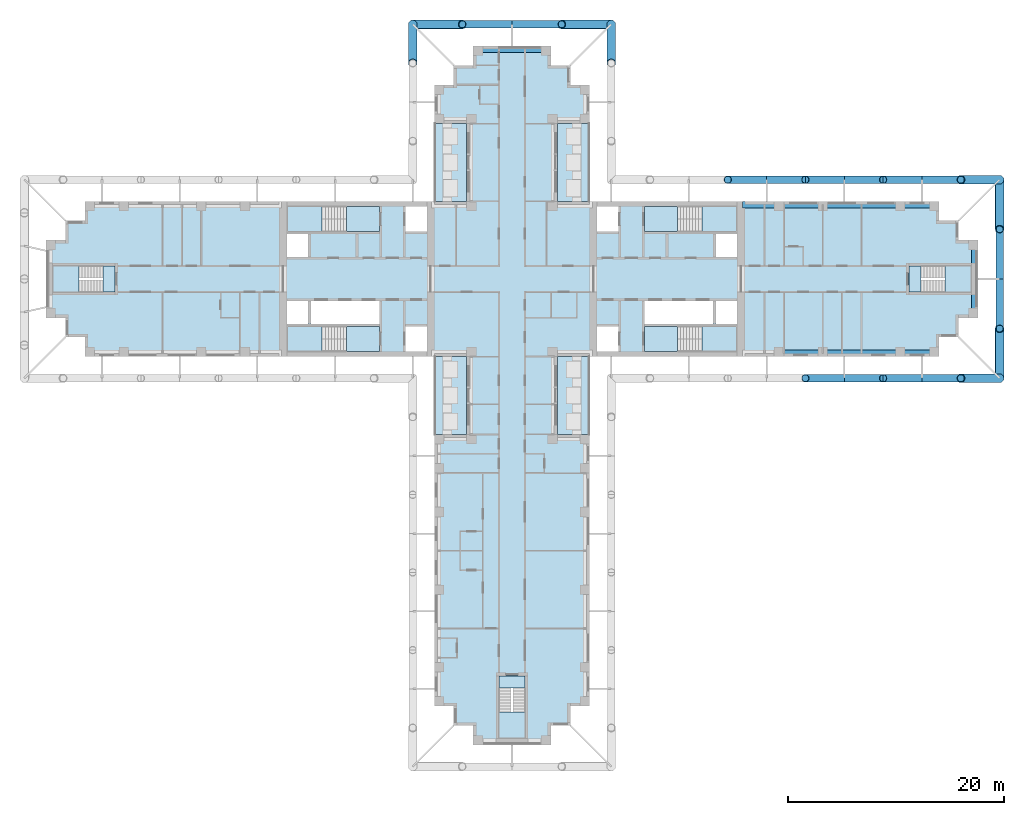
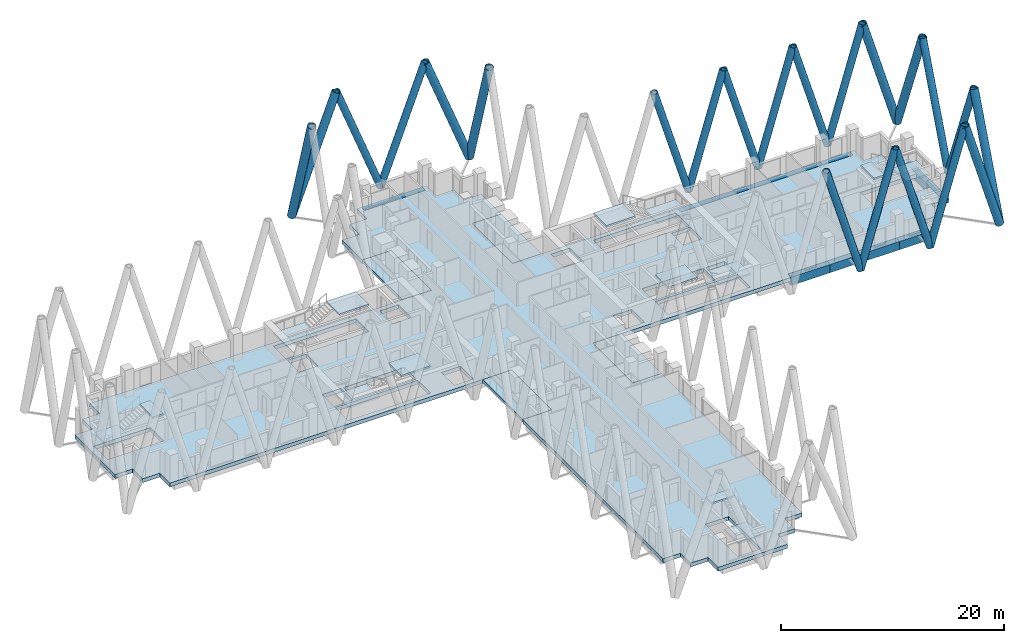
# One storey, part 2 of 14: 22 members, 19 slabs, 9 beams, 7 elements without a shape of their own.
"""IFC4 building model written with IfcOpenShell, lengths in metres."""

import ifcopenshell
import ifcopenshell.guid

model = None  # the IFC model being written
_history = None  # IfcOwnerHistory: only IFC2X3 demands one
_inside = {}  # id of a spatial element -> (the spatial element, [elements in it])
_under = {}  # id of a project, library or spatial element -> (it, [spatial elements below it])
_declared = {}  # id of a project -> (the project, [libraries it declares])
_typed = {}  # id of a type object -> (the type object, [elements of that type])
_made_of = {}  # id of a material, layer set ... -> (it, [elements and type objects made of it])


def new_model(schema):
    """Start an empty IFC model of exactly this schema.

    Asked for "IFC4X3", IfcOpenShell would pick the latest addendum, in which some entities
    have other attributes; the version numbers below select the first issue.
    IFC2X3 requires an IfcOwnerHistory on every rooted entity: one is made here for all.
    """
    global model, _history
    if schema == "IFC4X3":
        model = ifcopenshell.file(schema_version=(4, 3, 0, 0))
    else:
        model = ifcopenshell.file(schema=schema)
    _inside.clear()
    _under.clear()
    _declared.clear()
    _typed.clear()
    _made_of.clear()
    _history = None
    if model.schema == "IFC2X3":
        org = make("IfcOrganization", Name="unknown")
        user = make(
            "IfcPersonAndOrganization",
            ThePerson=make("IfcPerson", FamilyName="unknown"),
            TheOrganization=org,
        )
        app = make(
            "IfcApplication",
            ApplicationDeveloper=org,
            Version="unknown",
            ApplicationFullName="unknown",
            ApplicationIdentifier="unknown",
        )
        _history = make(
            "IfcOwnerHistory",
            OwningUser=user,
            OwningApplication=app,
            ChangeAction="ADDED",
            CreationDate=0,
        )
    return model


def make(cls, **values):
    """One entity of the class cls with the attributes given. An attribute that is None is left unset."""
    return model.create_entity(
        cls, **{name: value for name, value in values.items() if value is not None}
    )


def rooted(cls, **values):
    """An entity with a GlobalId (a new one), such as an element, a storey or a relation."""
    return make(cls, GlobalId=ifcopenshell.guid.new(), OwnerHistory=_history, **values)


def si_unit(unit_type, name, prefix=None):
    """IfcSIUnit, for example si_unit("LENGTHUNIT", "METRE", prefix="MILLI")."""
    return make("IfcSIUnit", UnitType=unit_type, Prefix=prefix, Name=name)


def assignment(units):
    """IfcUnitAssignment: the units of a project."""
    return None if units is None else make("IfcUnitAssignment", Units=units)


def point(xyz):
    """IfcCartesianPoint."""
    return None if xyz is None else make("IfcCartesianPoint", Coordinates=xyz)


def direction(xyz):
    """IfcDirection."""
    return None if xyz is None else make("IfcDirection", DirectionRatios=xyz)


def frame(location, z_axis=None, x_axis=None):
    """IfcAxis2Placement3D, a coordinate frame: its origin and axes. An axis left out is left unset."""
    return make(
        "IfcAxis2Placement3D",
        Location=point(location),
        Axis=direction(z_axis),
        RefDirection=direction(x_axis),
    )


def frame_2d(location, x_axis=None):
    """IfcAxis2Placement2D, a coordinate frame in the plane: its origin and x axis."""
    return make(
        "IfcAxis2Placement2D", Location=point(location), RefDirection=direction(x_axis)
    )


def origin():
    """The frame at (0, 0, 0) with its axes left unset."""
    return frame((0.0, 0.0, 0.0))


def origin_2d():
    """The frame at (0, 0) in the plane with its x axis left unset."""
    return frame_2d((0.0, 0.0))


def place(relative_to, where):
    """IfcLocalPlacement: puts the frame where relative to a parent placement (None: the world)."""
    return make(
        "IfcLocalPlacement", PlacementRelTo=relative_to, RelativePlacement=where
    )


def context(
    kind, dimensions, precision=None, world=None, true_north=None, identifier=None
):
    """IfcGeometricRepresentationContext, for example the 3D "Model" context."""
    return make(
        "IfcGeometricRepresentationContext",
        ContextIdentifier=identifier,
        ContextType=kind,
        CoordinateSpaceDimension=dimensions,
        Precision=precision,
        WorldCoordinateSystem=world,
        TrueNorth=true_north,
    )


def subcontext(parent, identifier, kind, view, scale=None):
    """IfcGeometricRepresentationSubContext, for example "Body" below "Model"."""
    return make(
        "IfcGeometricRepresentationSubContext",
        ContextIdentifier=identifier,
        ContextType=kind,
        ParentContext=parent,
        TargetScale=scale,
        TargetView=view,
    )


def project(units=None, contexts=None):
    """IfcProject with its units and contexts."""
    return rooted(
        "IfcProject",
        Name="project",
        RepresentationContexts=contexts,
        UnitsInContext=assignment(units),
    )


def spatial(cls, under=None, at=None, **own):
    """A site, building, storey or space (cls), placed at a placement, below another one or the project."""
    s = rooted(cls, ObjectPlacement=at, **own)
    if under is not None:
        _under.setdefault(under.id(), (under, []))[1].append(s)
    return s


def polyline(points):
    """IfcPolyline through the points."""
    return make("IfcPolyline", Points=[point(p) for p in points])


def profile(cls, at=None, kind="AREA", **sizes):
    """A parametric profile (cls). Its sizes go by their IFC names, for example OverallWidth=200.0."""
    return make(cls, ProfileType=kind, Position=at, **sizes)


def rectangle(**sizes):
    """IfcRectangleProfileDef."""
    return profile("IfcRectangleProfileDef", **sizes)


def hollow_circle(**sizes):
    """IfcCircleHollowProfileDef."""
    return profile("IfcCircleHollowProfileDef", **sizes)


def outline(outer, holes=None, kind="AREA"):
    """IfcArbitraryClosedProfileDef: a profile drawn as a closed curve; with holes, ...WithVoids."""
    if holes is None:
        return make("IfcArbitraryClosedProfileDef", ProfileType=kind, OuterCurve=outer)
    return make(
        "IfcArbitraryProfileDefWithVoids",
        ProfileType=kind,
        OuterCurve=outer,
        InnerCurves=holes,
    )


def extrude(swept, where, along, depth):
    """IfcExtrudedAreaSolid: the profile swept, set in the frame where, extruded along a direction by depth."""
    return make(
        "IfcExtrudedAreaSolid",
        SweptArea=swept,
        Position=where,
        ExtrudedDirection=direction(along),
        Depth=depth,
    )


def shape(context_of_items, identifier, shape_type, items):
    """IfcShapeRepresentation: the items that make up one representation, for example the "Body"."""
    return make(
        "IfcShapeRepresentation",
        ContextOfItems=context_of_items,
        RepresentationIdentifier=identifier,
        RepresentationType=shape_type,
        Items=items,
    )


def material(Name=None, Category=None):
    """IfcMaterial."""
    return make("IfcMaterial", Name=Name, Category=Category)


def layer(
    of_material, thickness, ventilated=None, Name=None, Category=None, Priority=None
):
    """IfcMaterialLayer: one layer of a wall or slab, of a material (None: an air gap)."""
    return make(
        "IfcMaterialLayer",
        Material=of_material,
        LayerThickness=thickness,
        IsVentilated=ventilated,
        Name=Name,
        Category=Category,
        Priority=Priority,
    )


def layer_set(layers, Name=None):
    """IfcMaterialLayerSet."""
    return make("IfcMaterialLayerSet", MaterialLayers=layers, LayerSetName=Name)


def material_profile(
    of_material, cross_section, Name=None, Category=None, Priority=None
):
    """IfcMaterialProfile: a cross section and its material."""
    return make(
        "IfcMaterialProfile",
        Name=Name,
        Material=of_material,
        Profile=cross_section,
        Priority=Priority,
        Category=Category,
    )


def profile_set(profiles, Name=None, composite=None):
    """IfcMaterialProfileSet."""
    return make(
        "IfcMaterialProfileSet",
        Name=Name,
        MaterialProfiles=profiles,
        CompositeProfile=composite,
    )


def made_of(thing, what):
    """Note that an element or type object is made of a material, layer set ...; save() writes the relation."""
    if what is not None:
        _made_of.setdefault(what.id(), (what, []))[1].append(thing)
    return thing


def type_object(cls, material=None, **own):
    """A type object (cls), such as IfcWallType, which elements share."""
    return made_of(rooted(cls, **own), material)


def element(
    cls,
    number,
    at=None,
    inside=None,
    cuts=None,
    type_object=None,
    material=None,
    context=None,
    identifier="Body",
    shape_type=None,
    held_by="IfcProductDefinitionShape",
    body=None,
    shapes=None,
    **own,
):
    """One element of the class cls, such as IfcWall. Its Tag is "e" and its number.

    at: its placement. inside: the storey or other place that contains it. cuts: it is an
    opening in that element (IfcRelVoidsElement). A single representation is given by context,
    identifier, shape_type and body (its items); several are given by shapes. held_by: the class
    of the entity that holds the representations. save() writes the other relations.
    """
    e = rooted(cls, Tag="e%d" % number, ObjectPlacement=at, **own)
    if body is not None:
        shapes = [shape(context, identifier, shape_type, body)]
    if shapes is not None:
        e.Representation = make(held_by, Representations=shapes)
    if inside is not None:
        _inside.setdefault(inside.id(), (inside, []))[1].append(e)
    if cuts is not None:
        rooted(
            "IfcRelVoidsElement", RelatingBuildingElement=cuts, RelatedOpeningElement=e
        )
    if type_object is not None:
        _typed.setdefault(type_object.id(), (type_object, []))[1].append(e)
    return made_of(e, material)


def aggregate(whole, parts):
    """IfcRelAggregates: a whole, such as a stair, and the parts it consists of."""
    return rooted("IfcRelAggregates", RelatingObject=whole, RelatedObjects=parts)


def save(model, path):
    """Write the relations noted so far, then the file.

    IfcRelAggregates (storeys below a building ...), IfcRelContainedInSpatialStructure (elements
    in a storey), IfcRelDefinesByType, IfcRelAssociatesMaterial and IfcRelDeclares: one each for
    every whole, place, type object, material and project.
    """
    for whole, parts in _under.values():
        aggregate(whole, parts)
    for where, things in _inside.values():
        rooted(
            "IfcRelContainedInSpatialStructure",
            RelatedElements=things,
            RelatingStructure=where,
        )
    for kind, things in _typed.values():
        rooted("IfcRelDefinesByType", RelatedObjects=things, RelatingType=kind)
    for what, things in _made_of.values():
        rooted("IfcRelAssociatesMaterial", RelatedObjects=things, RelatingMaterial=what)
    for by, libraries in _declared.values():
        rooted("IfcRelDeclares", RelatingContext=by, RelatedDefinitions=libraries)
    model.write(path)


model = new_model("IFC4")

# Units and contexts
model_context = context("Model", 3, precision=1e-05, world=origin(), true_north=direction((0.0, 1.0)))
body_context = subcontext(model_context, "Body", "Model", "MODEL_VIEW")
ifc_project = project(units=[si_unit("LENGTHUNIT", "METRE"), si_unit("AREAUNIT", "SQUARE_METRE"), si_unit("VOLUMEUNIT", "CUBIC_METRE"), si_unit("PLANEANGLEUNIT", "RADIAN"), si_unit("MASSUNIT", "GRAM", prefix="KILO")], contexts=[model_context])

# Site, building, storey
site_placement = place(None, origin())
site = spatial("IfcSite", under=ifc_project, at=site_placement, CompositionType="ELEMENT")
building_placement = place(site_placement, origin())
building = spatial("IfcBuilding", under=site, at=building_placement, Name="Fustian Cross Tower", CompositionType="ELEMENT")
storey_placement = place(building_placement, frame((0.0, 0.0, 78.89990234375)))
storey = spatial("IfcBuildingStorey", under=building, at=storey_placement, Name="L24", CompositionType="ELEMENT", Elevation=78.89990234375)

# Members
ifc_material_1 = material(Name="Steel S355", Category="steel")
ifc_material_profile_1 = material_profile(ifc_material_1, hollow_circle(Radius=0.355712890625, WallThickness=0.031982421875, at=origin_2d()), Name="CHS 711x32")
ifc_profile_set_1 = profile_set([ifc_material_profile_1], Name="Steel S355")
member_type_1 = type_object("IfcMemberType", Name="DIAGRID DIAGONAL CHS 711x32", PredefinedType="BRACE", material=ifc_profile_set_1)
for number, where, z_axis, x_axis, name in (
    (1, (30.800048828125, -9.199951171875, 0.0), (-0.287355036744, 0.0, 0.957824139839), (0.0, -1.0, 0.0), "Diagrid diagonal E-S 06"),
    (2, (30.800048828125, -9.199951171875, 0.0), (0.287337158709, 0.0, 0.957829503213), (0.0, 1.0, 0.0), "Diagrid diagonal E-S 07"),
    (3, (38.0, -9.199951171875, 0.0), (-0.287355036744, 0.0, 0.957824139839), (0.0, -1.0, 0.0), "Diagrid diagonal E-S 08"),
    (4, (38.0, -9.199951171875, 0.0), (0.287355036744, 0.0, 0.957824139839), (0.0, 1.0, 0.0), "Diagrid diagonal E-S 09"),
):
    element("IfcMember", number, at=place(storey_placement, frame(where, z_axis=z_axis, x_axis=x_axis)), inside=storey, type_object=member_type_1, Name=name, PredefinedType="BRACE", context=body_context, shape_type="SweptSolid", body=[
        extrude(hollow_circle(Radius=0.355712890625, WallThickness=0.031982421875, at=origin_2d()), origin(), (0.0, 0.0, 1.0), 12.5283203125),
    ])
for number, where, z_axis, x_axis, name in (
    (5, (45.199951171875, 0.0, 0.0), (0.0, -0.3579426369, 0.933743577589), (1.0, 0.0, 0.0), "Diagrid diagonal E-end 02"),
    (6, (45.199951171875, 0.0, 0.0), (0.0, 0.3579426369, 0.933743577589), (-1.0, 0.0, 0.0), "Diagrid diagonal E-end 03"),
):
    element("IfcMember", number, at=place(storey_placement, frame(where, z_axis=z_axis, x_axis=x_axis)), inside=storey, type_object=member_type_1, Name=name, PredefinedType="BRACE", context=body_context, shape_type="SweptSolid", body=[
        extrude(hollow_circle(Radius=0.355712890625, WallThickness=0.031982421875, at=origin_2d()), origin(), (0.0, 0.0, 1.0), 12.8515625),
    ])
for number, where, z_axis, x_axis, name in (
    (7, (38.0, 9.199951171875, 0.0), (0.287355036744, 0.0, 0.957824139839), (0.0, 1.0, 0.0), "Diagrid diagonal E-N 02"),
    (8, (38.0, 9.199951171875, 0.0), (-0.287355036744, 0.0, 0.957824139839), (0.0, -1.0, 0.0), "Diagrid diagonal E-N 03"),
    (9, (30.800048828125, 9.199951171875, 0.0), (0.287337158709, 0.0, 0.957829503213), (0.0, 1.0, 0.0), "Diagrid diagonal E-N 04"),
    (10, (30.800048828125, 9.199951171875, 0.0), (-0.287355036744, 0.0, 0.957824139839), (0.0, -1.0, 0.0), "Diagrid diagonal E-N 05"),
    (11, (23.60009765625, 9.199951171875, 0.0), (0.287337158709, 0.0, 0.957829503213), (0.0, 1.0, 0.0), "Diagrid diagonal E-N 06"),
    (12, (23.60009765625, 9.199951171875, 0.0), (-0.287355036744, 0.0, 0.957824139839), (0.0, -1.0, 0.0), "Diagrid diagonal E-N 07"),
):
    element("IfcMember", number, at=place(storey_placement, frame(where, z_axis=z_axis, x_axis=x_axis)), inside=storey, type_object=member_type_1, Name=name, PredefinedType="BRACE", context=body_context, shape_type="SweptSolid", body=[
        extrude(hollow_circle(Radius=0.355712890625, WallThickness=0.031982421875, at=origin_2d()), origin(), (0.0, 0.0, 1.0), 12.5283203125),
    ])
for number, where, z_axis, x_axis, name in (
    (13, (0.0, 23.60009765625, 0.0), (0.3579426369, 0.0, 0.933743577589), (0.0, 1.0, 0.0), "Diagrid diagonal N-end 02"),
    (14, (0.0, 23.60009765625, 0.0), (-0.3579426369, 0.0, 0.933743577589), (0.0, -1.0, 0.0), "Diagrid diagonal N-end 03"),
):
    element("IfcMember", number, at=place(storey_placement, frame(where, z_axis=z_axis, x_axis=x_axis)), inside=storey, type_object=member_type_1, Name=name, PredefinedType="BRACE", context=body_context, shape_type="SweptSolid", body=[
        extrude(hollow_circle(Radius=0.355712890625, WallThickness=0.031982421875, at=origin_2d()), origin(), (0.0, 0.0, 1.0), 12.8515625),
    ])
ifc_material_2 = material(Name="Steel S355", Category="steel")
ifc_material_profile_2 = material_profile(ifc_material_2, hollow_circle(Radius=0.406494140625, WallThickness=0.0400390625, at=origin_2d()), Name="CHS 813x40")
ifc_profile_set_2 = profile_set([ifc_material_profile_2], Name="Steel S355")
member_type_2 = type_object("IfcMemberType", Name="DIAGRID DIAGONAL CHS 813x40", PredefinedType="BRACE", material=ifc_profile_set_2)
member_1_placement = place(storey_placement, frame((45.199951171875, -9.199951171875, 0.0), z_axis=(-0.287337158709, 0.0, 0.957829503213), x_axis=(0.0, -1.0, 0.0)))
element("IfcMember", 15, at=member_1_placement, inside=storey, type_object=member_type_2, Name="Diagrid diagonal E-S 10", PredefinedType="BRACE", context=body_context, shape_type="SweptSolid", body=[
    extrude(hollow_circle(Radius=0.406494140625, WallThickness=0.0400390625, at=origin_2d()), origin(), (0.0, 0.0, 1.0), 12.5283203125),
])
for number, where, z_axis, x_axis, name in (
    (16, (45.199951171875, -9.199951171875, 0.0), (0.0, 0.357926073629, 0.933749926809), (-1.0, 0.0, 0.0), "Diagrid diagonal E-end 01"),
    (17, (45.199951171875, 9.199951171875, 0.0), (0.0, -0.357926073629, 0.933749926809), (1.0, 0.0, 0.0), "Diagrid diagonal E-end 04"),
):
    element("IfcMember", number, at=place(storey_placement, frame(where, z_axis=z_axis, x_axis=x_axis)), inside=storey, type_object=member_type_2, Name=name, PredefinedType="BRACE", context=body_context, shape_type="SweptSolid", body=[
        extrude(hollow_circle(Radius=0.406494140625, WallThickness=0.0400390625, at=origin_2d()), origin(), (0.0, 0.0, 1.0), 12.851318359375),
    ])
for number, where, z_axis, x_axis, name in (
    (18, (45.199951171875, 9.199951171875, 0.0), (-0.287337158709, 0.0, 0.957829503213), (0.0, -1.0, 0.0), "Diagrid diagonal E-N 01"),
    (19, (9.199951171875, 23.60009765625, 0.0), (0.0, -0.287355036744, 0.957824139839), (1.0, 0.0, 0.0), "Diagrid diagonal N-E 04"),
):
    element("IfcMember", number, at=place(storey_placement, frame(where, z_axis=z_axis, x_axis=x_axis)), inside=storey, type_object=member_type_2, Name=name, PredefinedType="BRACE", context=body_context, shape_type="SweptSolid", body=[
        extrude(hollow_circle(Radius=0.406494140625, WallThickness=0.0400390625, at=origin_2d()), origin(), (0.0, 0.0, 1.0), 12.5283203125),
    ])
for number, where, z_axis, x_axis, name in (
    (20, (9.199951171875, 23.60009765625, 0.0), (-0.357926073629, 0.0, 0.933749926809), (0.0, -1.0, 0.0), "Diagrid diagonal N-end 01"),
    (21, (-9.199951171875, 23.60009765625, 0.0), (0.357926073629, 0.0, 0.933749926809), (0.0, 1.0, 0.0), "Diagrid diagonal N-end 04"),
):
    element("IfcMember", number, at=place(storey_placement, frame(where, z_axis=z_axis, x_axis=x_axis)), inside=storey, type_object=member_type_2, Name=name, PredefinedType="BRACE", context=body_context, shape_type="SweptSolid", body=[
        extrude(hollow_circle(Radius=0.406494140625, WallThickness=0.0400390625, at=origin_2d()), origin(), (0.0, 0.0, 1.0), 12.851318359375),
    ])
member_2_placement = place(storey_placement, frame((-9.199951171875, 23.60009765625, 0.0), z_axis=(0.0, -0.287355036744, 0.957824139839), x_axis=(1.0, 0.0, 0.0)))
element("IfcMember", 22, at=member_2_placement, inside=storey, type_object=member_type_2, Name="Diagrid diagonal N-W 01", PredefinedType="BRACE", context=body_context, shape_type="SweptSolid", body=[
    extrude(hollow_circle(Radius=0.406494140625, WallThickness=0.0400390625, at=origin_2d()), origin(), (0.0, 0.0, 1.0), 12.5283203125),
])

# Beams
ifc_material_3 = material(Name="Concrete C50/60", Category="concrete")
ifc_material_profile_3 = material_profile(ifc_material_3, rectangle(XDim=0.60009765625, YDim=0.89990234375, at=origin_2d()), Name="RC 600x900")
ifc_profile_set_3 = profile_set([ifc_material_profile_3], Name="Concrete C50/60")
beam_type = type_object("IfcBeamType", Name="EDGE BEAM RC 600x900 C50/60", PredefinedType="SPANDREL", material=ifc_profile_set_3)
beam_1_placement = place(storey_placement, frame((24.75, -6.89990234375, -0.449951171875), z_axis=(1.0, 0.0, 0.0), x_axis=(0.0, 1.0, 0.0)))
element("IfcBeam", 23, at=beam_1_placement, inside=storey, type_object=beam_type, Name="EDGE BEAM L24-02", PredefinedType="SPANDREL", context=body_context, shape_type="SweptSolid", body=[
    extrude(rectangle(XDim=0.60009765625, YDim=0.89990234375, at=origin_2d()), origin(), (0.0, 0.0, 1.0), 4.050048828125),
])
beam_2_placement = place(storey_placement, frame((28.800048828125, -6.89990234375, -0.449951171875), z_axis=(1.0, 0.0, 0.0), x_axis=(0.0, 1.0, 0.0)))
element("IfcBeam", 24, at=beam_2_placement, inside=storey, type_object=beam_type, Name="EDGE BEAM L24-03", PredefinedType="SPANDREL", context=body_context, shape_type="SweptSolid", body=[
    extrude(rectangle(XDim=0.60009765625, YDim=0.89990234375, at=origin_2d()), origin(), (0.0, 0.0, 1.0), 7.199951171875),
])
beam_3_placement = place(storey_placement, frame((36.0, -6.89990234375, -0.449951171875), z_axis=(1.0, 0.0, 0.0), x_axis=(0.0, 1.0, 0.0)))
element("IfcBeam", 25, at=beam_3_placement, inside=storey, type_object=beam_type, Name="EDGE BEAM L24-04", PredefinedType="SPANDREL", context=body_context, shape_type="SweptSolid", body=[
    extrude(rectangle(XDim=0.60009765625, YDim=0.89990234375, at=origin_2d()), origin(), (0.0, 0.0, 1.0), 3.14990234375),
])
beam_4_placement = place(storey_placement, frame((42.89990234375, -3.14990234375, -0.449951171875), z_axis=(0.0, 1.0, 0.0), x_axis=(-1.0, 0.0, 0.0)))
element("IfcBeam", 26, at=beam_4_placement, inside=storey, type_object=beam_type, Name="EDGE BEAM L24-05", PredefinedType="SPANDREL", context=body_context, shape_type="SweptSolid", body=[
    extrude(rectangle(XDim=0.60009765625, YDim=0.89990234375, at=origin_2d()), origin(), (0.0, 0.0, 1.0), 6.2998046875),
])
beam_5_placement = place(storey_placement, frame((39.14990234375, 6.89990234375, -0.449951171875), z_axis=(-1.0, 0.0, 0.0), x_axis=(0.0, -1.0, 0.0)))
element("IfcBeam", 27, at=beam_5_placement, inside=storey, type_object=beam_type, Name="EDGE BEAM L24-06", PredefinedType="SPANDREL", context=body_context, shape_type="SweptSolid", body=[
    extrude(rectangle(XDim=0.60009765625, YDim=0.89990234375, at=origin_2d()), origin(), (0.0, 0.0, 1.0), 3.14990234375),
])
beam_6_placement = place(storey_placement, frame((36.0, 6.89990234375, -0.449951171875), z_axis=(-1.0, 0.0, 0.0), x_axis=(0.0, -1.0, 0.0)))
element("IfcBeam", 28, at=beam_6_placement, inside=storey, type_object=beam_type, Name="EDGE BEAM L24-07", PredefinedType="SPANDREL", context=body_context, shape_type="SweptSolid", body=[
    extrude(rectangle(XDim=0.60009765625, YDim=0.89990234375, at=origin_2d()), origin(), (0.0, 0.0, 1.0), 7.199951171875),
])
beam_7_placement = place(storey_placement, frame((28.800048828125, 6.89990234375, -0.449951171875), z_axis=(-1.0, 0.0, 0.0), x_axis=(0.0, -1.0, 0.0)))
element("IfcBeam", 29, at=beam_7_placement, inside=storey, type_object=beam_type, Name="EDGE BEAM L24-08", PredefinedType="SPANDREL", context=body_context, shape_type="SweptSolid", body=[
    extrude(rectangle(XDim=0.60009765625, YDim=0.89990234375, at=origin_2d()), origin(), (0.0, 0.0, 1.0), 4.050048828125),
])
beam_8_placement = place(storey_placement, frame((24.75, 6.89990234375, -0.449951171875), z_axis=(-1.0, 0.0, 0.0), x_axis=(0.0, -1.0, 0.0)))
element("IfcBeam", 30, at=beam_8_placement, inside=storey, type_object=beam_type, Name="EDGE BEAM L24-09", PredefinedType="SPANDREL", context=body_context, shape_type="SweptSolid", body=[
    extrude(rectangle(XDim=0.60009765625, YDim=0.89990234375, at=origin_2d()), origin(), (0.0, 0.0, 1.0), 3.39990234375),
])
beam_9_placement = place(storey_placement, frame((3.14990234375, 21.300048828125, -0.449951171875), z_axis=(-1.0, 0.0, 0.0), x_axis=(0.0, -1.0, 0.0)))
element("IfcBeam", 31, at=beam_9_placement, inside=storey, type_object=beam_type, Name="EDGE BEAM L24-14", PredefinedType="SPANDREL", context=body_context, shape_type="SweptSolid", body=[
    extrude(rectangle(XDim=0.60009765625, YDim=0.89990234375, at=origin_2d()), origin(), (0.0, 0.0, 1.0), 6.2998046875),
])

# Slabs
ifc_material_4 = material(Name="Concrete C40/50", Category="concrete")
ifc_layer_1 = layer(ifc_material_4, 0.300048828125)
ifc_layer_set_1 = layer_set([ifc_layer_1], Name="Concrete C40/50")
slab_type_1 = type_object("IfcSlabType", Name="BS1 BALCONY SLAB 300", PredefinedType="FLOOR", material=ifc_layer_set_1)
slab_1_placement = place(storey_placement, frame((0.0, 0.0, -0.2998046875)))
element("IfcSlab", 32, at=slab_1_placement, inside=storey, type_object=slab_type_1, Name="Balcony slab", PredefinedType="FLOOR", context=body_context, shape_type="SweptSolid", body=[
    extrude(outline(polyline([(4.199951171875, 7.199951171875), (7.199951171875, 7.199951171875), (7.199951171875, 14.39990234375), (4.199951171875, 14.39990234375), (4.199951171875, 7.199951171875)])), origin(), (0.0, 0.0, 1.0), 0.2998046875),
])
slab_2_placement = place(storey_placement, frame((0.0, 0.0, -0.2998046875)))
element("IfcSlab", 33, at=slab_2_placement, inside=storey, type_object=slab_type_1, Name="Balcony slab", PredefinedType="FLOOR", context=body_context, shape_type="SweptSolid", body=[
    extrude(outline(polyline([(-7.199951171875, 7.199951171875), (-4.199951171875, 7.199951171875), (-4.199951171875, 14.39990234375), (-7.199951171875, 14.39990234375), (-7.199951171875, 7.199951171875)])), origin(), (0.0, 0.0, 1.0), 0.2998046875),
])
slab_3_placement = place(storey_placement, frame((0.0, 0.0, -0.2998046875)))
element("IfcSlab", 34, at=slab_3_placement, inside=storey, type_object=slab_type_1, Name="Balcony slab", PredefinedType="FLOOR", context=body_context, shape_type="SweptSolid", body=[
    extrude(outline(polyline([(4.199951171875, -14.39990234375), (7.199951171875, -14.39990234375), (7.199951171875, -7.199951171875), (4.199951171875, -7.199951171875), (4.199951171875, -14.39990234375)])), origin(), (0.0, 0.0, 1.0), 0.2998046875),
])
slab_4_placement = place(storey_placement, frame((0.0, 0.0, -0.2998046875)))
element("IfcSlab", 35, at=slab_4_placement, inside=storey, type_object=slab_type_1, Name="Balcony slab", PredefinedType="FLOOR", context=body_context, shape_type="SweptSolid", body=[
    extrude(outline(polyline([(-7.199951171875, -14.39990234375), (-4.199951171875, -14.39990234375), (-4.199951171875, -7.199951171875), (-7.199951171875, -7.199951171875), (-7.199951171875, -14.39990234375)])), origin(), (0.0, 0.0, 1.0), 0.2998046875),
])
ifc_material_5 = material(Name="Concrete C40/50", Category="concrete")
ifc_layer_2 = layer(ifc_material_5, 0.425048828125)
ifc_layer_set_2 = layer_set([ifc_layer_2], Name="Concrete C40/50")
slab_type_2 = type_object("IfcSlabType", Name="FLAT SLAB 425", PredefinedType="FLOOR", material=ifc_layer_set_2)
slab_5_placement = place(storey_placement, frame((0.0, 0.0, -0.4248046875)))
element("IfcSlab", 36, at=slab_5_placement, inside=storey, type_object=slab_type_2, Name="FLOOR SLAB L24-1", PredefinedType="FLOOR", context=body_context, shape_type="SweptSolid", body=[
    extrude(outline(polyline([(-4.199951171875, -7.199951171875), (-39.60009765625, -7.199951171875), (-39.60009765625, -5.39990234375), (-41.39990234375, -5.39990234375), (-41.39990234375, -3.60009765625), (-43.199951171875, -3.60009765625), (-43.199951171875, 3.60009765625), (-41.39990234375, 3.60009765625), (-41.39990234375, 5.39990234375), (-39.60009765625, 5.39990234375), (-39.60009765625, 7.199951171875), (-4.199951171875, 7.199951171875), (-4.199951171875, 14.39990234375), (-7.199951171875, 14.39990234375), (-7.199951171875, 18.0), (-5.39990234375, 18.0), (-5.39990234375, 19.800048828125), (-3.60009765625, 19.800048828125), (-3.60009765625, 21.60009765625), (3.60009765625, 21.60009765625), (3.60009765625, 19.800048828125), (5.39990234375, 19.800048828125), (5.39990234375, 18.0), (7.199951171875, 18.0), (7.199951171875, 14.39990234375), (4.199951171875, 14.39990234375), (4.199951171875, 7.199951171875), (39.60009765625, 7.199951171875), (39.60009765625, 5.39990234375), (41.39990234375, 5.39990234375), (41.39990234375, 3.60009765625), (43.199951171875, 3.60009765625), (43.199951171875, -3.60009765625), (41.39990234375, -3.60009765625), (41.39990234375, -5.39990234375), (39.60009765625, -5.39990234375), (39.60009765625, -7.199951171875), (4.199951171875, -7.199951171875), (4.199951171875, -14.39990234375), (7.199951171875, -14.39990234375), (7.199951171875, -39.60009765625), (5.39990234375, -39.60009765625), (5.39990234375, -41.39990234375), (3.60009765625, -41.39990234375), (3.60009765625, -43.199951171875), (-3.60009765625, -43.199951171875), (-3.60009765625, -41.39990234375), (-5.39990234375, -41.39990234375), (-5.39990234375, -39.60009765625), (-7.199951171875, -39.60009765625), (-7.199951171875, -14.39990234375), (-4.199951171875, -14.39990234375), (-4.199951171875, -7.199951171875)]), holes=[polyline([(20.85009765625, -2.050048828125), (18.89990234375, -2.050048828125), (18.89990234375, -4.14990234375), (20.85009765625, -4.14990234375), (20.85009765625, -2.050048828125)]), polyline([(20.85009765625, 2.050048828125), (20.85009765625, 4.14990234375), (18.89990234375, 4.14990234375), (18.89990234375, 2.050048828125), (20.85009765625, 2.050048828125)]), polyline([(7.89990234375, 4.39990234375), (9.85009765625, 4.39990234375), (9.85009765625, 6.699951171875), (7.89990234375, 6.699951171875), (7.89990234375, 4.39990234375)]), polyline([(7.89990234375, -4.39990234375), (7.89990234375, -6.699951171875), (9.85009765625, -6.699951171875), (9.85009765625, -4.39990234375), (7.89990234375, -4.39990234375)]), polyline([(-18.89990234375, -2.050048828125), (-20.85009765625, -2.050048828125), (-20.85009765625, -4.14990234375), (-18.89990234375, -4.14990234375), (-18.89990234375, -2.050048828125)]), polyline([(-18.89990234375, 2.050048828125), (-18.89990234375, 4.14990234375), (-20.85009765625, 4.14990234375), (-20.85009765625, 2.050048828125), (-18.89990234375, 2.050048828125)]), polyline([(-9.85009765625, 4.39990234375), (-7.89990234375, 4.39990234375), (-7.89990234375, 6.699951171875), (-9.85009765625, 6.699951171875), (-9.85009765625, 4.39990234375)]), polyline([(-9.85009765625, -4.39990234375), (-9.85009765625, -6.699951171875), (-7.89990234375, -6.699951171875), (-7.89990234375, -4.39990234375), (-9.85009765625, -4.39990234375)]), polyline([(18.64990234375, -2.050048828125), (12.300048828125, -2.050048828125), (12.300048828125, -4.14990234375), (18.64990234375, -4.14990234375), (18.64990234375, -2.050048828125)]), polyline([(-12.300048828125, -4.14990234375), (-12.300048828125, -2.050048828125), (-18.64990234375, -2.050048828125), (-18.64990234375, -4.14990234375), (-12.300048828125, -4.14990234375)]), polyline([(12.300048828125, 4.39990234375), (20.85009765625, 4.39990234375), (20.85009765625, 6.699951171875), (12.300048828125, 6.699951171875), (12.300048828125, 4.39990234375)]), polyline([(12.300048828125, -4.39990234375), (12.300048828125, -6.699951171875), (20.85009765625, -6.699951171875), (20.85009765625, -4.39990234375), (12.300048828125, -4.39990234375)]), polyline([(-12.300048828125, 6.699951171875), (-20.85009765625, 6.699951171875), (-20.85009765625, 4.39990234375), (-12.300048828125, 4.39990234375), (-12.300048828125, 6.699951171875)]), polyline([(-12.300048828125, -6.699951171875), (-12.300048828125, -4.39990234375), (-20.85009765625, -4.39990234375), (-20.85009765625, -6.699951171875), (-12.300048828125, -6.699951171875)]), polyline([(-1.199951171875, -42.60009765625), (1.199951171875, -42.60009765625), (1.199951171875, -36.800048828125), (-1.199951171875, -36.800048828125), (-1.199951171875, -42.60009765625)]), polyline([(36.800048828125, 1.199951171875), (36.800048828125, -1.199951171875), (42.60009765625, -1.199951171875), (42.60009765625, 1.199951171875), (36.800048828125, 1.199951171875)]), polyline([(-36.800048828125, 1.199951171875), (-42.60009765625, 1.199951171875), (-42.60009765625, -1.199951171875), (-36.800048828125, -1.199951171875), (-36.800048828125, 1.199951171875)])]), origin(), (0.0, 0.0, 1.0), 0.4248046875),
])

# Stair, slabs
ifc_material_6 = material(Name="Concrete C50/60", Category="concrete")
stair_type_1 = type_object("IfcStairType", Name="STAIR 1150 HALF TURN", PredefinedType="HALF_TURN_STAIR", material=ifc_material_6)
stair_1_placement = place(storey_placement, origin())
stair_1 = element("IfcStair", 37, at=stair_1_placement, inside=storey, type_object=stair_type_1, Name="Stair ST1", PredefinedType="HALF_TURN_STAIR")
ifc_material_7 = material(Name="Concrete C50/60", Category="concrete")
ifc_layer_3 = layer(ifc_material_7, 0.199951171875)
ifc_layer_set_3 = layer_set([ifc_layer_3], Name="Concrete C50/60")
slab_type_3 = type_object("IfcSlabType", Name="STAIR LANDING", PredefinedType="LANDING", material=ifc_layer_set_3)
slab_6_placement = place(storey_placement, frame((0.0, 0.0, 1.300048828125)))
slab_6 = element("IfcSlab", 38, at=slab_6_placement, type_object=slab_type_3, Name="ST1 landing 1", PredefinedType="LANDING", context=body_context, shape_type="SweptSolid", body=[
    extrude(outline(polyline([(17.590087890625, 4.39990234375), (20.85009765625, 4.39990234375), (20.85009765625, 6.699951171875), (17.590087890625, 6.699951171875), (17.590087890625, 4.39990234375)])), origin(), (0.0, 0.0, 1.0), 0.199951171875),
])
slab_7_placement = place(storey_placement, frame((0.0, 0.0, 2.800048828125)))
slab_7 = element("IfcSlab", 39, at=slab_7_placement, type_object=slab_type_3, Name="ST1 landing 2", PredefinedType="LANDING", context=body_context, shape_type="SweptSolid", body=[
    extrude(outline(polyline([(12.300048828125, 4.39990234375), (15.35009765625, 4.39990234375), (15.35009765625, 6.699951171875), (12.300048828125, 6.699951171875), (12.300048828125, 4.39990234375)])), origin(), (0.0, 0.0, 1.0), 0.199951171875),
])
aggregate(stair_1, [slab_6, slab_7])

stair_2_placement = place(storey_placement, origin())
stair_2 = element("IfcStair", 40, at=stair_2_placement, inside=storey, type_object=stair_type_1, Name="Stair ST2", PredefinedType="HALF_TURN_STAIR")
slab_8_placement = place(storey_placement, frame((0.0, 0.0, 1.300048828125)))
slab_8 = element("IfcSlab", 41, at=slab_8_placement, type_object=slab_type_3, Name="ST2 landing 1", PredefinedType="LANDING", context=body_context, shape_type="SweptSolid", body=[
    extrude(outline(polyline([(17.590087890625, -4.39990234375), (20.85009765625, -4.39990234375), (20.85009765625, -6.699951171875), (17.590087890625, -6.699951171875), (17.590087890625, -4.39990234375)])), origin(), (0.0, 0.0, 1.0), 0.199951171875),
])
slab_9_placement = place(storey_placement, frame((0.0, 0.0, 2.800048828125)))
slab_9 = element("IfcSlab", 42, at=slab_9_placement, type_object=slab_type_3, Name="ST2 landing 2", PredefinedType="LANDING", context=body_context, shape_type="SweptSolid", body=[
    extrude(outline(polyline([(12.300048828125, -4.39990234375), (15.35009765625, -4.39990234375), (15.35009765625, -6.699951171875), (12.300048828125, -6.699951171875), (12.300048828125, -4.39990234375)])), origin(), (0.0, 0.0, 1.0), 0.199951171875),
])
aggregate(stair_2, [slab_8, slab_9])

stair_3_placement = place(storey_placement, origin())
stair_3 = element("IfcStair", 43, at=stair_3_placement, inside=storey, type_object=stair_type_1, Name="Stair ST3", PredefinedType="HALF_TURN_STAIR")
slab_10_placement = place(storey_placement, frame((0.0, 0.0, 1.300048828125)))
slab_10 = element("IfcSlab", 44, at=slab_10_placement, type_object=slab_type_3, Name="ST3 landing 1", PredefinedType="LANDING", context=body_context, shape_type="SweptSolid", body=[
    extrude(outline(polyline([(-17.590087890625, 4.39990234375), (-20.85009765625, 4.39990234375), (-20.85009765625, 6.699951171875), (-17.590087890625, 6.699951171875), (-17.590087890625, 4.39990234375)])), origin(), (0.0, 0.0, 1.0), 0.199951171875),
])
slab_11_placement = place(storey_placement, frame((0.0, 0.0, 2.800048828125)))
slab_11 = element("IfcSlab", 45, at=slab_11_placement, type_object=slab_type_3, Name="ST3 landing 2", PredefinedType="LANDING", context=body_context, shape_type="SweptSolid", body=[
    extrude(outline(polyline([(-12.300048828125, 4.39990234375), (-15.35009765625, 4.39990234375), (-15.35009765625, 6.699951171875), (-12.300048828125, 6.699951171875), (-12.300048828125, 4.39990234375)])), origin(), (0.0, 0.0, 1.0), 0.199951171875),
])
aggregate(stair_3, [slab_10, slab_11])

stair_4_placement = place(storey_placement, origin())
stair_4 = element("IfcStair", 46, at=stair_4_placement, inside=storey, type_object=stair_type_1, Name="Stair ST4", PredefinedType="HALF_TURN_STAIR")
slab_12_placement = place(storey_placement, frame((0.0, 0.0, 1.300048828125)))
slab_12 = element("IfcSlab", 47, at=slab_12_placement, type_object=slab_type_3, Name="ST4 landing 1", PredefinedType="LANDING", context=body_context, shape_type="SweptSolid", body=[
    extrude(outline(polyline([(-17.590087890625, -4.39990234375), (-20.85009765625, -4.39990234375), (-20.85009765625, -6.699951171875), (-17.590087890625, -6.699951171875), (-17.590087890625, -4.39990234375)])), origin(), (0.0, 0.0, 1.0), 0.199951171875),
])
slab_13_placement = place(storey_placement, frame((0.0, 0.0, 2.800048828125)))
slab_13 = element("IfcSlab", 48, at=slab_13_placement, type_object=slab_type_3, Name="ST4 landing 2", PredefinedType="LANDING", context=body_context, shape_type="SweptSolid", body=[
    extrude(outline(polyline([(-12.300048828125, -4.39990234375), (-15.35009765625, -4.39990234375), (-15.35009765625, -6.699951171875), (-12.300048828125, -6.699951171875), (-12.300048828125, -4.39990234375)])), origin(), (0.0, 0.0, 1.0), 0.199951171875),
])
aggregate(stair_4, [slab_12, slab_13])

ifc_material_8 = material(Name="Concrete C50/60", Category="concrete")
stair_type_2 = type_object("IfcStairType", Name="STAIR 1100 HALF TURN", PredefinedType="HALF_TURN_STAIR", material=ifc_material_8)
stair_5_placement = place(storey_placement, origin())
stair_5 = element("IfcStair", 49, at=stair_5_placement, inside=storey, type_object=stair_type_2, Name="Stair ST6", PredefinedType="HALF_TURN_STAIR")
slab_14_placement = place(storey_placement, frame((0.0, 0.0, 1.300048828125)))
slab_14 = element("IfcSlab", 50, at=slab_14_placement, type_object=slab_type_3, Name="ST6 landing 1", PredefinedType="LANDING", context=body_context, shape_type="SweptSolid", body=[
    extrude(outline(polyline([(-1.199951171875, -40.139892578125), (-1.199951171875, -42.60009765625), (1.199951171875, -42.60009765625), (1.199951171875, -40.139892578125), (-1.199951171875, -40.139892578125)])), origin(), (0.0, 0.0, 1.0), 0.199951171875),
])
slab_15_placement = place(storey_placement, frame((0.0, 0.0, 2.800048828125)))
slab_15 = element("IfcSlab", 51, at=slab_15_placement, type_object=slab_type_3, Name="ST6 landing 2", PredefinedType="LANDING", context=body_context, shape_type="SweptSolid", body=[
    extrude(outline(polyline([(-1.199951171875, -36.800048828125), (-1.199951171875, -37.89990234375), (1.199951171875, -37.89990234375), (1.199951171875, -36.800048828125), (-1.199951171875, -36.800048828125)])), origin(), (0.0, 0.0, 1.0), 0.199951171875),
])
aggregate(stair_5, [slab_14, slab_15])

stair_6_placement = place(storey_placement, origin())
stair_6 = element("IfcStair", 52, at=stair_6_placement, inside=storey, type_object=stair_type_2, Name="Stair ST8", PredefinedType="HALF_TURN_STAIR")
slab_16_placement = place(storey_placement, frame((0.0, 0.0, 1.300048828125)))
slab_16 = element("IfcSlab", 53, at=slab_16_placement, type_object=slab_type_3, Name="ST8 landing 1", PredefinedType="LANDING", context=body_context, shape_type="SweptSolid", body=[
    extrude(outline(polyline([(40.139892578125, -1.199951171875), (42.60009765625, -1.199951171875), (42.60009765625, 1.199951171875), (40.139892578125, 1.199951171875), (40.139892578125, -1.199951171875)])), origin(), (0.0, 0.0, 1.0), 0.199951171875),
])
slab_17_placement = place(storey_placement, frame((0.0, 0.0, 2.800048828125)))
slab_17 = element("IfcSlab", 54, at=slab_17_placement, type_object=slab_type_3, Name="ST8 landing 2", PredefinedType="LANDING", context=body_context, shape_type="SweptSolid", body=[
    extrude(outline(polyline([(36.800048828125, -1.199951171875), (37.89990234375, -1.199951171875), (37.89990234375, 1.199951171875), (36.800048828125, 1.199951171875), (36.800048828125, -1.199951171875)])), origin(), (0.0, 0.0, 1.0), 0.199951171875),
])
aggregate(stair_6, [slab_16, slab_17])

stair_7_placement = place(storey_placement, origin())
stair_7 = element("IfcStair", 55, at=stair_7_placement, inside=storey, type_object=stair_type_2, Name="Stair ST9", PredefinedType="HALF_TURN_STAIR")
slab_18_placement = place(storey_placement, frame((0.0, 0.0, 1.300048828125)))
slab_18 = element("IfcSlab", 56, at=slab_18_placement, type_object=slab_type_3, Name="ST9 landing 1", PredefinedType="LANDING", context=body_context, shape_type="SweptSolid", body=[
    extrude(outline(polyline([(-40.139892578125, -1.199951171875), (-42.60009765625, -1.199951171875), (-42.60009765625, 1.199951171875), (-40.139892578125, 1.199951171875), (-40.139892578125, -1.199951171875)])), origin(), (0.0, 0.0, 1.0), 0.199951171875),
])
slab_19_placement = place(storey_placement, frame((0.0, 0.0, 2.800048828125)))
slab_19 = element("IfcSlab", 57, at=slab_19_placement, type_object=slab_type_3, Name="ST9 landing 2", PredefinedType="LANDING", context=body_context, shape_type="SweptSolid", body=[
    extrude(outline(polyline([(-36.800048828125, -1.199951171875), (-37.89990234375, -1.199951171875), (-37.89990234375, 1.199951171875), (-36.800048828125, 1.199951171875), (-36.800048828125, -1.199951171875)])), origin(), (0.0, 0.0, 1.0), 0.199951171875),
])
aggregate(stair_7, [slab_18, slab_19])

save(model, "model.ifc")
